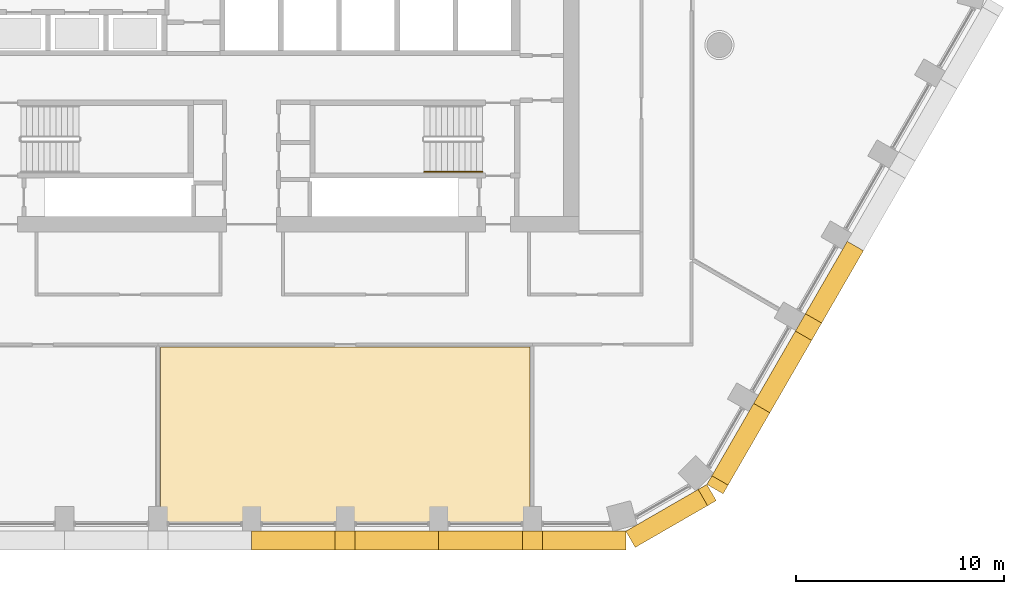
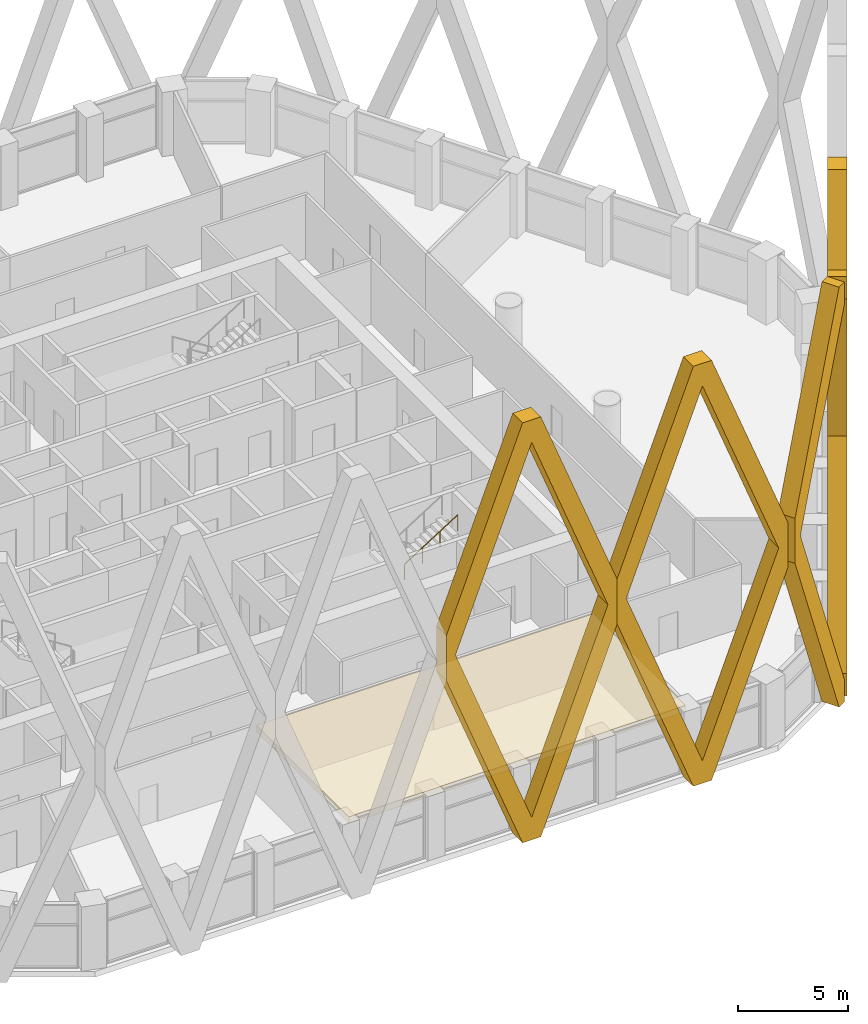
# One storey, part 17 of 24: 6 coverings, 1 railing.
"""IFC4 building model written with IfcOpenShell, lengths in metres."""

from ifc_helpers import new_model, si_unit, direction, frame, origin, origin_2d, place, context, subcontext, project, spatial, polyline, circle, outline, extrude, material, layer, layer_set, type_object, element, save


model = new_model("IFC4")

# Units and contexts
model_context = context("Model", 3, precision=1e-05, world=origin(), true_north=direction((0.0, 1.0)))
body_context = subcontext(model_context, "Body", "Model", "MODEL_VIEW")
ifc_project = project(units=[si_unit("LENGTHUNIT", "METRE"), si_unit("AREAUNIT", "SQUARE_METRE"), si_unit("VOLUMEUNIT", "CUBIC_METRE"), si_unit("PLANEANGLEUNIT", "RADIAN"), si_unit("MASSUNIT", "GRAM", prefix="KILO")], contexts=[model_context])

# Site, building, storey
site_placement = place(None, origin())
site = spatial("IfcSite", under=ifc_project, at=site_placement, CompositionType="ELEMENT")
building_placement = place(site_placement, origin())
building = spatial("IfcBuilding", under=site, at=building_placement, Name="Dhurran Vertical Campus", CompositionType="ELEMENT")
storey_placement = place(building_placement, frame((0.0, 0.0, 132.60009765625)))
storey = spatial("IfcBuildingStorey", under=building, at=storey_placement, Name="L32", CompositionType="ELEMENT", Elevation=132.60009765625)

# Coverings
ifc_material_1 = material(Name="Precast concrete C50/60", Category="concrete")
covering_type_1 = type_object("IfcCoveringType", Name="Folded precast fin lattice diamond", PredefinedType="USERDEFINED", material=ifc_material_1)
for number, where, z_axis, x_axis, name in (
    (1, (0.0, -27.8828125, 0.0), (0.0, -1.0, 0.0), (1.0, 0.0, 0.0), "FN1 L32.003"),
    (2, (9.0, -27.8828125, 0.0), (0.0, -1.0, 0.0), (1.0, 0.0, 0.0), "FN1 L32.004"),
):
    element("IfcCovering", number, at=place(storey_placement, frame(where, z_axis=z_axis, x_axis=x_axis)), inside=storey, type_object=covering_type_1, Name=name, ObjectType="FIN", PredefinedType="USERDEFINED", context=body_context, shape_type="SweptSolid", body=[
        extrude(outline(polyline([(9.0, 12.95361328125), (9.0, 10.4462890625), (4.982177734375, 0.0), (4.017822265625, 0.0), (0.0, 10.4462890625), (0.0, 12.95361328125), (4.017822265625, 23.39990234375), (4.982177734375, 23.39990234375), (9.0, 12.95361328125)]), holes=[polyline([(8.517822265625, 11.699951171875), (4.5, 22.146484375), (0.482177734375, 11.699951171875), (4.5, 1.253662109375), (8.517822265625, 11.699951171875)])]), origin(), (0.0, 0.0, 1.0), 0.89990234375),
    ])
covering_1_placement = place(storey_placement, frame((18.0, -27.8828125, 0.0), z_axis=(0.50001992892, -0.866013897511, 0.0), x_axis=(0.866013897511, 0.50001992892, 0.0)))
element("IfcCovering", 3, at=covering_1_placement, inside=storey, type_object=covering_type_1, Name="FN1 L32.005", ObjectType="FIN", PredefinedType="USERDEFINED", context=body_context, shape_type="SweptSolid", body=[
    extrude(outline(polyline([(4.017822265625, 0.0), (0.0, 10.4462890625), (0.0, 12.95361328125), (4.017822265625, 23.39990234375), (4.5, 23.39990234375), (4.5, 22.146484375), (0.482177734375, 11.699951171875), (4.5, 1.253662109375), (4.5, 0.0), (4.017822265625, 0.0)])), origin(), (0.0, 0.0, 1.0), 0.89990234375),
])
covering_2_placement = place(storey_placement, frame((21.897216796875, -25.6328125, 0.0), z_axis=(0.866013897511, -0.50001992892, 0.0), x_axis=(0.50001992892, 0.866013897511, 0.0)))
element("IfcCovering", 4, at=covering_2_placement, inside=storey, type_object=covering_type_1, Name="FN1 L32.006", ObjectType="FIN", PredefinedType="USERDEFINED", context=body_context, shape_type="SweptSolid", body=[
    extrude(outline(polyline([(4.5, 10.4462890625), (0.482177734375, 0.0), (0.0, 0.0), (0.0, 1.253662109375), (4.017822265625, 11.699951171875), (0.0, 22.146484375), (0.0, 23.39990234375), (0.482177734375, 23.39990234375), (4.5, 12.95361328125), (4.5, 10.4462890625)])), origin(), (0.0, 0.0, 1.0), 0.89990234375),
])
covering_3_placement = place(storey_placement, frame((24.147216796875, -21.735595703125, 0.0), z_axis=(0.866013897511, -0.50001992892, 0.0), x_axis=(0.50001992892, 0.866013897511, 0.0)))
element("IfcCovering", 5, at=covering_3_placement, inside=storey, type_object=covering_type_1, Name="FN1 L32.007", ObjectType="FIN", PredefinedType="USERDEFINED", context=body_context, shape_type="SweptSolid", body=[
    extrude(outline(polyline([(9.0, 12.95361328125), (9.0, 10.4462890625), (4.982177734375, 0.0), (4.017822265625, 0.0), (0.0, 10.4462890625), (0.0, 12.95361328125), (4.017822265625, 23.39990234375), (4.982177734375, 23.39990234375), (9.0, 12.95361328125)]), holes=[polyline([(8.517822265625, 11.699951171875), (4.5, 22.146484375), (0.482177734375, 11.699951171875), (4.5, 1.253662109375), (8.517822265625, 11.699951171875)])]), origin(), (0.0, 0.0, 1.0), 0.89990234375),
])

# Railing
ifc_material_2 = material(Name="Stainless steel handrail", Category="steel")
railing_type = type_object("IfcRailingType", Name="co-RL-HANDRAIL-900", PredefinedType="HANDRAIL", material=ifc_material_2)
railing_placement = place(storey_placement, frame((8.300048828125, -10.60009765625, 2.127197265625)))
element("IfcRailing", 6, at=railing_placement, inside=storey, type_object=railing_type, Name="L32 ST4 stair handrail 2", PredefinedType="HANDRAIL", context=body_context, shape_type="SweptSolid", body=[
    extrude(circle(Radius=0.02392578125, at=origin_2d()), frame((0.0, 0.0, 0.8759765625), z_axis=(0.844908973607, 0.0, 0.534910110503), x_axis=(0.0, 1.0, 0.0)), (0.0, 0.0, 1.0), 3.31396484375),
    extrude(circle(Radius=0.02099609375, at=origin_2d()), origin(), (0.0, 0.0, 1.0), 0.851806640625),
    extrude(circle(Radius=0.02099609375, at=origin_2d()), frame((0.933349609375, 0.0, 0.5908203125)), (0.0, 0.0, 1.0), 0.851806640625),
    extrude(circle(Radius=0.02099609375, at=origin_2d()), frame((1.86669921875, 0.0, 1.181884765625)), (0.0, 0.0, 1.0), 0.851806640625),
    extrude(circle(Radius=0.02099609375, at=origin_2d()), frame((2.800048828125, 0.0, 1.772705078125)), (0.0, 0.0, 1.0), 0.851806640625),
])

# Covering
ifc_material_3 = material(Name="Mineral fibre ceiling tiles on suspended grid")
ifc_layer = layer(ifc_material_3, 0.35009765625)
ifc_layer_set = layer_set([ifc_layer], Name="Mineral fibre ceiling tiles on suspended grid")
covering_type_2 = type_object("IfcCoveringType", Name="fl-CE-350 suspended ceiling", PredefinedType="CEILING", material=ifc_layer_set)
covering_4_placement = place(storey_placement, frame((0.0, 0.0, 3.224853515625)))
element("IfcCovering", 7, at=covering_4_placement, inside=storey, type_object=covering_type_2, Name="Ceiling 32-21", PredefinedType="CEILING", context=body_context, shape_type="SweptSolid", body=[
    extrude(outline(polyline([(13.3798828125, -27.462890625), (-4.3798828125, -27.462890625), (-4.3798828125, -19.02001953125), (13.3798828125, -19.02001953125), (13.3798828125, -27.462890625)])), origin(), (0.0, 0.0, 1.0), 0.35009765625),
])

save(model, "model.ifc")
